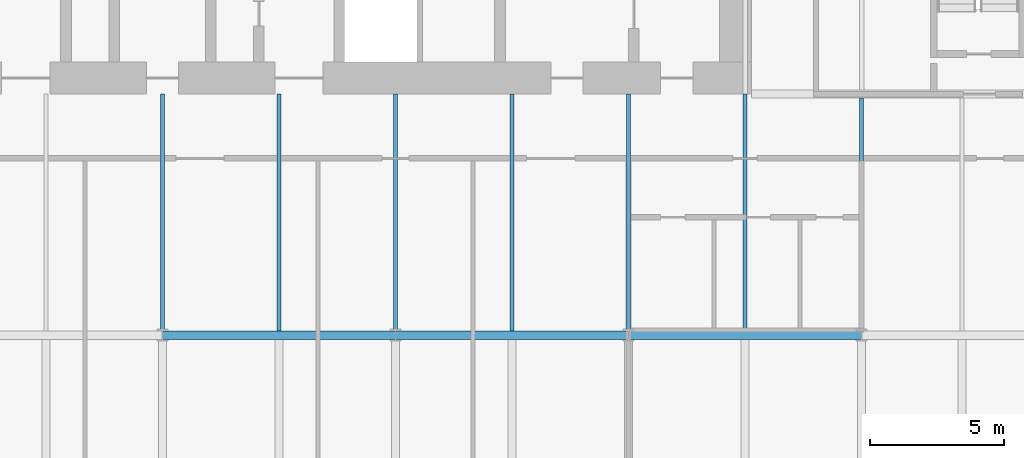
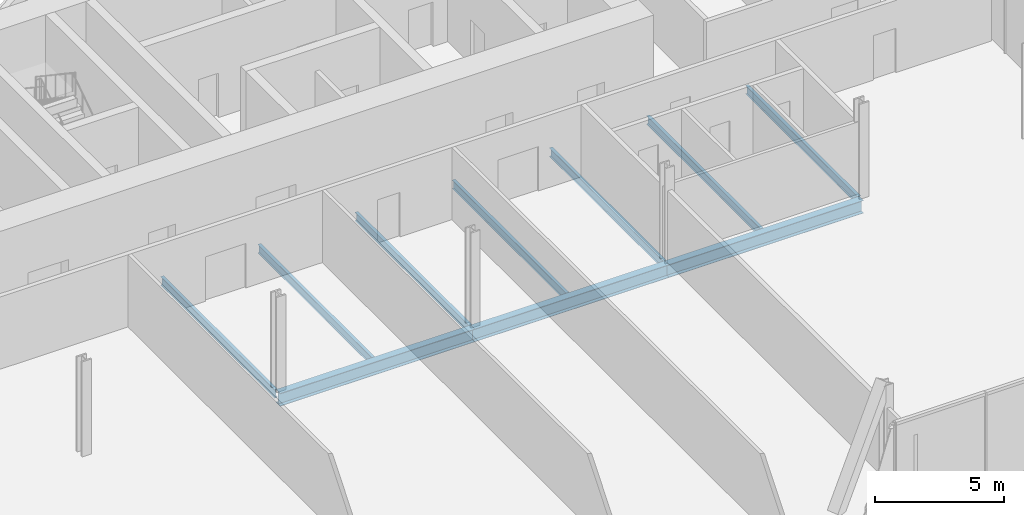
# One storey, part 10 of 23: 10 beams.
"""IFC4 building model written with IfcOpenShell, lengths in metres."""

from ifc_helpers import new_model, si_unit, direction, frame, origin, origin_2d, place, context, subcontext, project, spatial, i_section, extrude, material, material_profile, profile_set, type_object, element, save


model = new_model("IFC4")

# Units and contexts
model_context = context("Model", 3, precision=1e-05, world=origin(), true_north=direction((0.0, 1.0)))
body_context = subcontext(model_context, "Body", "Model", "MODEL_VIEW")
ifc_project = project(units=[si_unit("LENGTHUNIT", "METRE"), si_unit("AREAUNIT", "SQUARE_METRE"), si_unit("VOLUMEUNIT", "CUBIC_METRE"), si_unit("PLANEANGLEUNIT", "RADIAN"), si_unit("MASSUNIT", "GRAM", prefix="KILO")], contexts=[model_context])

# Site, building, storey
site_placement = place(None, origin())
site = spatial("IfcSite", under=ifc_project, at=site_placement, CompositionType="ELEMENT")
building_placement = place(site_placement, origin())
building = spatial("IfcBuilding", under=site, at=building_placement, Name="Bicima Exchange Tower", CompositionType="ELEMENT")
storey_placement = place(building_placement, frame((0.0, 0.0, 44.0)))
storey = spatial("IfcBuildingStorey", under=building, at=storey_placement, Name="L08", CompositionType="ELEMENT", Elevation=44.0)

# Beams
ifc_material = material(Name="Steel ASTM A992 Gr 50", Category="steel")
ifc_material_profile_1 = material_profile(ifc_material, i_section(OverallWidth=0.140380859375, OverallDepth=0.40380859375, WebThickness=0.007080078125, FlangeThickness=0.01123046875, at=origin_2d()))
ifc_profile_set_1 = profile_set([ifc_material_profile_1], Name="Steel ASTM A992 Gr 50")
beam_type_1 = type_object("IfcBeamType", Name="Floor beam W16x31", PredefinedType="JOIST", material=ifc_profile_set_1)
for number, where, z_axis, x_axis, name in (
    (1, (0.0, -13.0, -0.351806640625), (0.0, -1.0, 0.0), (1.0, 0.0, 0.0), "Floor beam"),
    (2, (4.35009765625, -13.0, -0.351806640625), (0.0, -1.0, 0.0), (1.0, 0.0, 0.0), "Floor beam"),
    (3, (8.699951171875, -13.0, -0.351806640625), (0.0, -1.0, 0.0), (1.0, 0.0, 0.0), "Floor beam"),
    (4, (13.050048828125, -13.0, -0.351806640625), (0.0, -1.0, 0.0), (1.0, 0.0, 0.0), "Floor beam"),
    (5, (17.39990234375, -13.0, -0.351806640625), (0.0, -1.0, 0.0), (1.0, 0.0, 0.0), "Floor beam"),
    (6, (21.75, -13.0, -0.351806640625), (0.0, -1.0, 0.0), (1.0, 0.0, 0.0), "Floor beam"),
):
    element("IfcBeam", number, at=place(storey_placement, frame(where, z_axis=z_axis, x_axis=x_axis)), inside=storey, type_object=beam_type_1, Name=name, PredefinedType="JOIST", context=body_context, shape_type="SweptSolid", body=[
        extrude(i_section(OverallWidth=0.140380859375, OverallDepth=0.40380859375, WebThickness=0.007080078125, FlangeThickness=0.01123046875, at=origin_2d()), origin(), (0.0, 0.0, 1.0), 8.83740234375),
    ])
beam_1_placement = place(storey_placement, frame((26.10009765625, -13.15234375, -0.351806640625), z_axis=(0.0, -1.0, 0.0), x_axis=(1.0, 0.0, 0.0)))
element("IfcBeam", 7, at=beam_1_placement, inside=storey, type_object=beam_type_1, Name="Floor beam", PredefinedType="JOIST", context=body_context, shape_type="SweptSolid", body=[
    extrude(i_section(OverallWidth=0.140380859375, OverallDepth=0.40380859375, WebThickness=0.007080078125, FlangeThickness=0.01123046875, at=origin_2d()), origin(), (0.0, 0.0, 1.0), 8.68505859375),
])
ifc_material_profile_2 = material_profile(ifc_material, i_section(OverallWidth=0.3251953125, OverallDepth=0.612060546875, WebThickness=0.0126953125, FlangeThickness=0.01904296875, at=origin_2d()))
ifc_profile_set_2 = profile_set([ifc_material_profile_2], Name="Steel ASTM A992 Gr 50")
beam_type_2 = type_object("IfcBeamType", Name="Row girder W24x104", PredefinedType="BEAM", material=ifc_profile_set_2)
for number, where, z_axis, x_axis, name in (
    (8, (0.0, -22.0, -0.4560546875), (1.0, 0.0, 0.0), (0.0, 1.0, 0.0), "Row girder"),
    (9, (8.699951171875, -22.0, -0.4560546875), (1.0, 0.0, 0.0), (0.0, 1.0, 0.0), "Row girder"),
):
    element("IfcBeam", number, at=place(storey_placement, frame(where, z_axis=z_axis, x_axis=x_axis)), inside=storey, type_object=beam_type_2, Name=name, PredefinedType="BEAM", context=body_context, shape_type="SweptSolid", body=[
        extrude(i_section(OverallWidth=0.3251953125, OverallDepth=0.612060546875, WebThickness=0.0126953125, FlangeThickness=0.01904296875, at=origin_2d()), origin(), (0.0, 0.0, 1.0), 8.699951171875),
    ])
beam_2_placement = place(storey_placement, frame((17.39990234375, -22.0, -0.4560546875), z_axis=(1.0, 0.0, 0.0), x_axis=(0.0, 1.0, 0.0)))
element("IfcBeam", 10, at=beam_2_placement, inside=storey, type_object=beam_type_2, Name="Row girder", PredefinedType="BEAM", context=body_context, shape_type="SweptSolid", body=[
    extrude(i_section(OverallWidth=0.3251953125, OverallDepth=0.612060546875, WebThickness=0.0126953125, FlangeThickness=0.01904296875, at=origin_2d()), origin(), (0.0, 0.0, 1.0), 8.7001953125),
])

save(model, "model.ifc")
